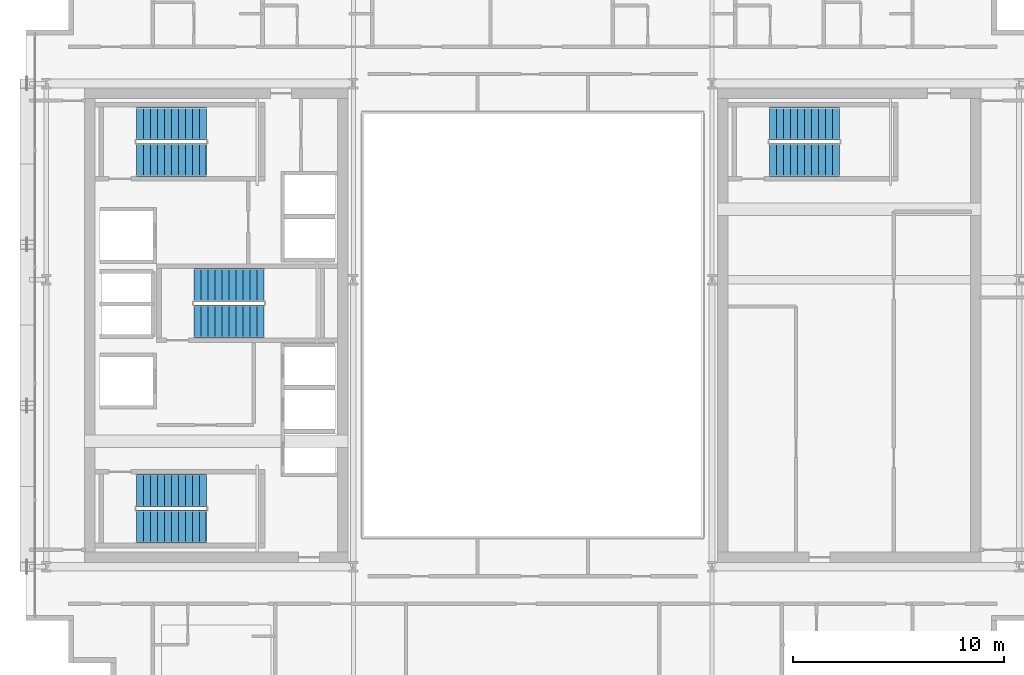
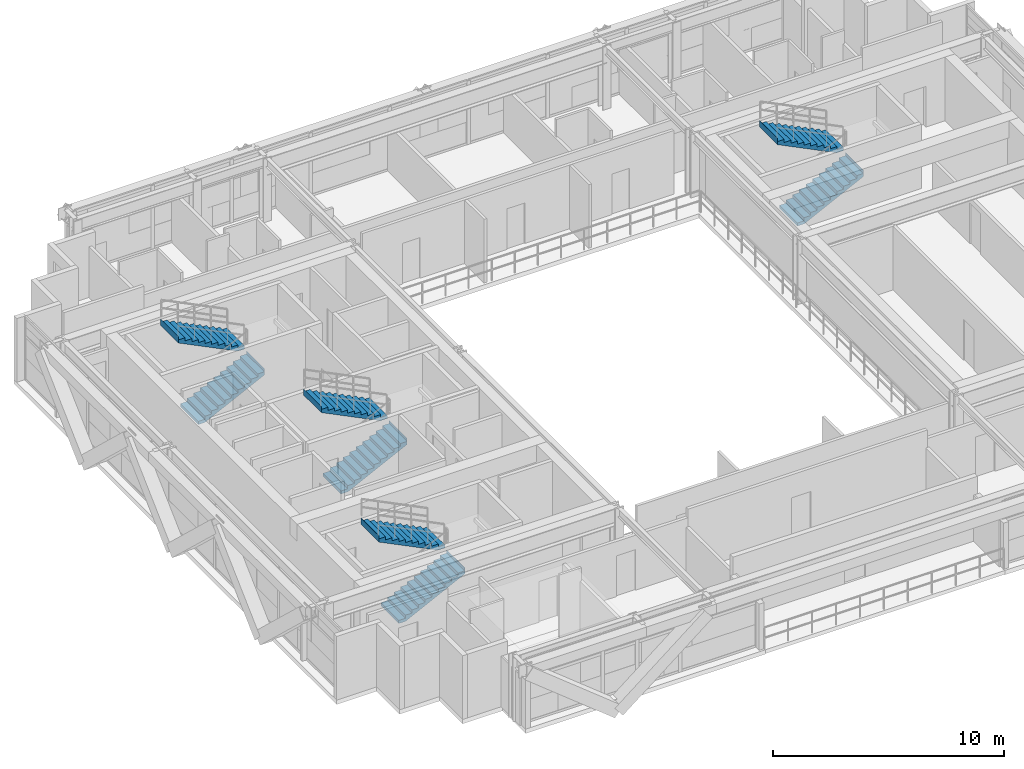
# One storey, part 28 of 32: 8 stair flights, 4 elements without a shape of their own.
"""IFC4 building model written with IfcOpenShell, lengths in metres."""

from ifc_helpers import new_model, si_unit, direction, frame, origin, place, context, subcontext, project, spatial, polyline, outline, extrude, source, transform, mapped, material, type_object, element, aggregate, save


model = new_model("IFC4")

# Units and contexts
model_context = context("Model", 3, precision=1e-05, world=origin(), true_north=direction((0.0, 1.0)))
body_context = subcontext(model_context, "Body", "Model", "MODEL_VIEW")
ifc_project = project(units=[si_unit("LENGTHUNIT", "METRE"), si_unit("AREAUNIT", "SQUARE_METRE"), si_unit("VOLUMEUNIT", "CUBIC_METRE"), si_unit("PLANEANGLEUNIT", "RADIAN"), si_unit("MASSUNIT", "GRAM", prefix="KILO")], contexts=[model_context])

# Site, building, storey
site_placement = place(None, origin())
site = spatial("IfcSite", under=ifc_project, at=site_placement, CompositionType="ELEMENT")
building_placement = place(site_placement, origin())
building = spatial("IfcBuilding", under=site, at=building_placement, Name="Ocotamira Hotel", CompositionType="ELEMENT")
storey_placement = place(building_placement, frame((0.0, 0.0, 184.800048828125)))
storey = spatial("IfcBuildingStorey", under=building, at=storey_placement, Name="L46", CompositionType="ELEMENT", Elevation=184.800048828125)

# Stair, stair flights
ifc_material = material(Name="Concrete C40/50", Category="concrete")
stair_type = type_object("IfcStairType", Name="ST-CORE-1560", PredefinedType="HALF_TURN_STAIR", material=ifc_material)
stair_1_placement = place(storey_placement, origin())
stair_1 = element("IfcStair", 1, at=stair_1_placement, inside=storey, type_object=stair_type, Name="L46 Exit Stair ST-1", PredefinedType="HALF_TURN_STAIR")
stair_flight_type = type_object("IfcStairFlightType", Name="STF-CORE-1560", PredefinedType="STRAIGHT", material=ifc_material)
shared_shape = source(origin(), body_context, "Body", "SweptSolid", [
    extrude(outline(polyline([(-0.00390625, 0.0), (-0.00390625, 0.16357421875), (0.330078125, 0.16357421875), (0.330078125, 0.327392578125), (0.659912109375, 0.327392578125), (0.659912109375, 0.490966796875), (0.989990234375, 0.490966796875), (0.989990234375, 0.654541015625), (1.320068359375, 0.654541015625), (1.320068359375, 0.818115234375), (1.64990234375, 0.818115234375), (1.64990234375, 0.98193359375), (1.97998046875, 0.98193359375), (1.97998046875, 1.1455078125), (2.31005859375, 1.1455078125), (2.31005859375, 1.30908203125), (2.639892578125, 1.30908203125), (2.639892578125, 1.47265625), (2.969970703125, 1.47265625), (2.969970703125, 1.636474609375), (3.300048828125, 1.636474609375), (3.300048828125, 1.800048828125), (3.303955078125, 1.800048828125), (3.303955078125, 1.468994140625), (0.33740234375, 0.0), (-0.00390625, 0.0)])), frame((0.0, 0.780029296875, 0.0), z_axis=(0.0, -1.0, 0.0), x_axis=(1.0, 0.0, 0.0)), (0.0, 0.0, 1.0), 1.56005859375),
])
stair_flight_1_placement = place(storey_placement, frame((13.22998046875, 16.449951171875, 0.0), z_axis=(0.0, 0.0, 1.0), x_axis=(1.0, 0.0, 0.0)))
stair_flight_1 = element("IfcStairFlight", 2, at=stair_flight_1_placement, type_object=stair_flight_type, Name="ST-1 flight 1", NumberOfRisers=11, NumberOfTreads=10, PredefinedType="STRAIGHT", RiserHeight=0.163636364, TreadLength=0.33, context=body_context, shape_type="MappedRepresentation", body=[
    mapped(shared_shape, transform((0.0, 0.0, 0.0), scale=1.0)),
])
stair_flight_2_placement = place(storey_placement, frame((16.530029296875, 18.169921875, 1.800048828125), z_axis=(0.0, 0.0, 1.0), x_axis=(-1.0, 0.0, 0.0)))
stair_flight_2 = element("IfcStairFlight", 3, at=stair_flight_2_placement, type_object=stair_flight_type, Name="ST-1 flight 2", NumberOfRisers=11, NumberOfTreads=10, PredefinedType="STRAIGHT", RiserHeight=0.163636364, TreadLength=0.33, context=body_context, shape_type="MappedRepresentation", body=[
    mapped(shared_shape, transform((0.0, 0.0, 0.0), scale=1.0)),
])
aggregate(stair_1, [stair_flight_1, stair_flight_2])

stair_2_placement = place(storey_placement, origin())
stair_2 = element("IfcStair", 4, at=stair_2_placement, inside=storey, type_object=stair_type, Name="L46 Exit Stair ST-2", PredefinedType="HALF_TURN_STAIR")
stair_flight_3_placement = place(storey_placement, frame((13.22998046875, 33.830078125, 0.0), z_axis=(0.0, 0.0, 1.0), x_axis=(1.0, 0.0, 0.0)))
stair_flight_3 = element("IfcStairFlight", 5, at=stair_flight_3_placement, type_object=stair_flight_type, Name="ST-2 flight 1", NumberOfRisers=11, NumberOfTreads=10, PredefinedType="STRAIGHT", RiserHeight=0.163636364, TreadLength=0.33, context=body_context, shape_type="MappedRepresentation", body=[
    mapped(shared_shape, transform((0.0, 0.0, 0.0), scale=1.0)),
])
stair_flight_4_placement = place(storey_placement, frame((16.530029296875, 35.550048828125, 1.800048828125), z_axis=(0.0, 0.0, 1.0), x_axis=(-1.0, 0.0, 0.0)))
stair_flight_4 = element("IfcStairFlight", 6, at=stair_flight_4_placement, type_object=stair_flight_type, Name="ST-2 flight 2", NumberOfRisers=11, NumberOfTreads=10, PredefinedType="STRAIGHT", RiserHeight=0.163636364, TreadLength=0.33, context=body_context, shape_type="MappedRepresentation", body=[
    mapped(shared_shape, transform((0.0, 0.0, 0.0), scale=1.0)),
])
aggregate(stair_2, [stair_flight_3, stair_flight_4])

stair_3_placement = place(storey_placement, origin())
stair_3 = element("IfcStair", 7, at=stair_3_placement, inside=storey, type_object=stair_type, Name="L46 Exit Stair ST-3", PredefinedType="HALF_TURN_STAIR")
stair_flight_5_placement = place(storey_placement, frame((15.9599609375, 26.179931640625, 0.0), z_axis=(0.0, 0.0, 1.0), x_axis=(1.0, 0.0, 0.0)))
stair_flight_5 = element("IfcStairFlight", 8, at=stair_flight_5_placement, type_object=stair_flight_type, Name="ST-3 flight 1", NumberOfRisers=11, NumberOfTreads=10, PredefinedType="STRAIGHT", RiserHeight=0.163636364, TreadLength=0.33, context=body_context, shape_type="MappedRepresentation", body=[
    mapped(shared_shape, transform((0.0, 0.0, 0.0), scale=1.0)),
])
stair_flight_6_placement = place(storey_placement, frame((19.260009765625, 27.89990234375, 1.800048828125), z_axis=(0.0, 0.0, 1.0), x_axis=(-1.0, 0.0, 0.0)))
stair_flight_6 = element("IfcStairFlight", 9, at=stair_flight_6_placement, type_object=stair_flight_type, Name="ST-3 flight 2", NumberOfRisers=11, NumberOfTreads=10, PredefinedType="STRAIGHT", RiserHeight=0.163636364, TreadLength=0.33, context=body_context, shape_type="MappedRepresentation", body=[
    mapped(shared_shape, transform((0.0, 0.0, 0.0), scale=1.0)),
])
aggregate(stair_3, [stair_flight_5, stair_flight_6])

stair_4_placement = place(storey_placement, origin())
stair_4 = element("IfcStair", 10, at=stair_4_placement, inside=storey, type_object=stair_type, Name="L46 Exit Stair ST-4", PredefinedType="HALF_TURN_STAIR")
stair_flight_7_placement = place(storey_placement, frame((43.22998046875, 33.830078125, 0.0), z_axis=(0.0, 0.0, 1.0), x_axis=(1.0, 0.0, 0.0)))
stair_flight_7 = element("IfcStairFlight", 11, at=stair_flight_7_placement, type_object=stair_flight_type, Name="ST-4 flight 1", NumberOfRisers=11, NumberOfTreads=10, PredefinedType="STRAIGHT", RiserHeight=0.163636364, TreadLength=0.33, context=body_context, shape_type="MappedRepresentation", body=[
    mapped(shared_shape, transform((0.0, 0.0, 0.0), scale=1.0)),
])
stair_flight_8_placement = place(storey_placement, frame((46.530029296875, 35.550048828125, 1.800048828125), z_axis=(0.0, 0.0, 1.0), x_axis=(-1.0, 0.0, 0.0)))
stair_flight_8 = element("IfcStairFlight", 12, at=stair_flight_8_placement, type_object=stair_flight_type, Name="ST-4 flight 2", NumberOfRisers=11, NumberOfTreads=10, PredefinedType="STRAIGHT", RiserHeight=0.163636364, TreadLength=0.33, context=body_context, shape_type="MappedRepresentation", body=[
    mapped(shared_shape, transform((0.0, 0.0, 0.0), scale=1.0)),
])
aggregate(stair_4, [stair_flight_7, stair_flight_8])

save(model, "model.ifc")
